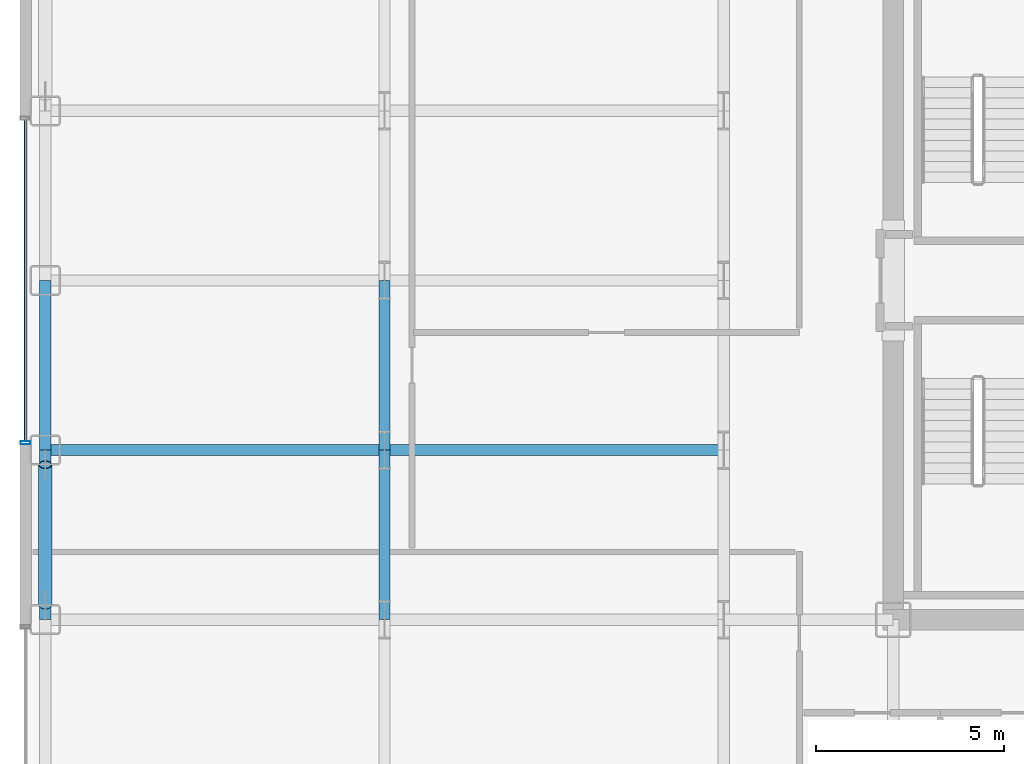
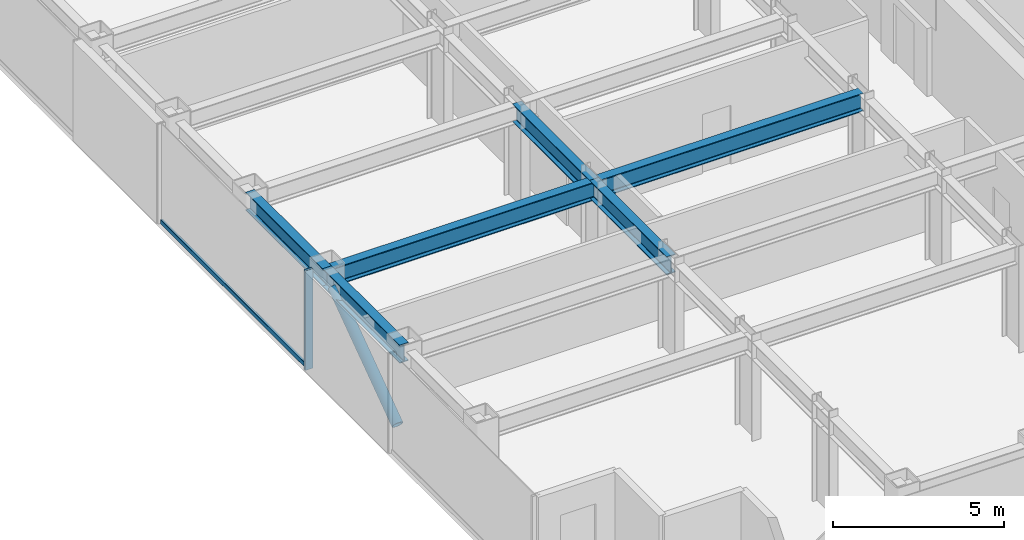
# One storey, part 5 of 29: 6 beams, 3 members, 1 element without a shape of its own.
"""IFC4 building model written with IfcOpenShell, lengths in metres."""

import ifcopenshell
import ifcopenshell.guid

model = None  # the IFC model being written
_history = None  # IfcOwnerHistory: only IFC2X3 demands one
_inside = {}  # id of a spatial element -> (the spatial element, [elements in it])
_under = {}  # id of a project, library or spatial element -> (it, [spatial elements below it])
_declared = {}  # id of a project -> (the project, [libraries it declares])
_typed = {}  # id of a type object -> (the type object, [elements of that type])
_made_of = {}  # id of a material, layer set ... -> (it, [elements and type objects made of it])


def new_model(schema):
    """Start an empty IFC model of exactly this schema.

    Asked for "IFC4X3", IfcOpenShell would pick the latest addendum, in which some entities
    have other attributes; the version numbers below select the first issue.
    IFC2X3 requires an IfcOwnerHistory on every rooted entity: one is made here for all.
    """
    global model, _history
    if schema == "IFC4X3":
        model = ifcopenshell.file(schema_version=(4, 3, 0, 0))
    else:
        model = ifcopenshell.file(schema=schema)
    _inside.clear()
    _under.clear()
    _declared.clear()
    _typed.clear()
    _made_of.clear()
    _history = None
    if model.schema == "IFC2X3":
        org = make("IfcOrganization", Name="unknown")
        user = make(
            "IfcPersonAndOrganization",
            ThePerson=make("IfcPerson", FamilyName="unknown"),
            TheOrganization=org,
        )
        app = make(
            "IfcApplication",
            ApplicationDeveloper=org,
            Version="unknown",
            ApplicationFullName="unknown",
            ApplicationIdentifier="unknown",
        )
        _history = make(
            "IfcOwnerHistory",
            OwningUser=user,
            OwningApplication=app,
            ChangeAction="ADDED",
            CreationDate=0,
        )
    return model


def make(cls, **values):
    """One entity of the class cls with the attributes given. An attribute that is None is left unset."""
    return model.create_entity(
        cls, **{name: value for name, value in values.items() if value is not None}
    )


def rooted(cls, **values):
    """An entity with a GlobalId (a new one), such as an element, a storey or a relation."""
    return make(cls, GlobalId=ifcopenshell.guid.new(), OwnerHistory=_history, **values)


def si_unit(unit_type, name, prefix=None):
    """IfcSIUnit, for example si_unit("LENGTHUNIT", "METRE", prefix="MILLI")."""
    return make("IfcSIUnit", UnitType=unit_type, Prefix=prefix, Name=name)


def assignment(units):
    """IfcUnitAssignment: the units of a project."""
    return None if units is None else make("IfcUnitAssignment", Units=units)


def point(xyz):
    """IfcCartesianPoint."""
    return None if xyz is None else make("IfcCartesianPoint", Coordinates=xyz)


def direction(xyz):
    """IfcDirection."""
    return None if xyz is None else make("IfcDirection", DirectionRatios=xyz)


def frame(location, z_axis=None, x_axis=None):
    """IfcAxis2Placement3D, a coordinate frame: its origin and axes. An axis left out is left unset."""
    return make(
        "IfcAxis2Placement3D",
        Location=point(location),
        Axis=direction(z_axis),
        RefDirection=direction(x_axis),
    )


def frame_2d(location, x_axis=None):
    """IfcAxis2Placement2D, a coordinate frame in the plane: its origin and x axis."""
    return make(
        "IfcAxis2Placement2D", Location=point(location), RefDirection=direction(x_axis)
    )


def origin():
    """The frame at (0, 0, 0) with its axes left unset."""
    return frame((0.0, 0.0, 0.0))


def origin_2d():
    """The frame at (0, 0) in the plane with its x axis left unset."""
    return frame_2d((0.0, 0.0))


def place(relative_to, where):
    """IfcLocalPlacement: puts the frame where relative to a parent placement (None: the world)."""
    return make(
        "IfcLocalPlacement", PlacementRelTo=relative_to, RelativePlacement=where
    )


def context(
    kind, dimensions, precision=None, world=None, true_north=None, identifier=None
):
    """IfcGeometricRepresentationContext, for example the 3D "Model" context."""
    return make(
        "IfcGeometricRepresentationContext",
        ContextIdentifier=identifier,
        ContextType=kind,
        CoordinateSpaceDimension=dimensions,
        Precision=precision,
        WorldCoordinateSystem=world,
        TrueNorth=true_north,
    )


def subcontext(parent, identifier, kind, view, scale=None):
    """IfcGeometricRepresentationSubContext, for example "Body" below "Model"."""
    return make(
        "IfcGeometricRepresentationSubContext",
        ContextIdentifier=identifier,
        ContextType=kind,
        ParentContext=parent,
        TargetScale=scale,
        TargetView=view,
    )


def project(units=None, contexts=None):
    """IfcProject with its units and contexts."""
    return rooted(
        "IfcProject",
        Name="project",
        RepresentationContexts=contexts,
        UnitsInContext=assignment(units),
    )


def spatial(cls, under=None, at=None, **own):
    """A site, building, storey or space (cls), placed at a placement, below another one or the project."""
    s = rooted(cls, ObjectPlacement=at, **own)
    if under is not None:
        _under.setdefault(under.id(), (under, []))[1].append(s)
    return s


def profile(cls, at=None, kind="AREA", **sizes):
    """A parametric profile (cls). Its sizes go by their IFC names, for example OverallWidth=200.0."""
    return make(cls, ProfileType=kind, Position=at, **sizes)


def hollow_rectangle(**sizes):
    """IfcRectangleHollowProfileDef."""
    return profile("IfcRectangleHollowProfileDef", **sizes)


def hollow_circle(**sizes):
    """IfcCircleHollowProfileDef."""
    return profile("IfcCircleHollowProfileDef", **sizes)


def i_section(**sizes):
    """IfcIShapeProfileDef."""
    return profile("IfcIShapeProfileDef", **sizes)


def extrude(swept, where, along, depth):
    """IfcExtrudedAreaSolid: the profile swept, set in the frame where, extruded along a direction by depth."""
    return make(
        "IfcExtrudedAreaSolid",
        SweptArea=swept,
        Position=where,
        ExtrudedDirection=direction(along),
        Depth=depth,
    )


def shape(context_of_items, identifier, shape_type, items):
    """IfcShapeRepresentation: the items that make up one representation, for example the "Body"."""
    return make(
        "IfcShapeRepresentation",
        ContextOfItems=context_of_items,
        RepresentationIdentifier=identifier,
        RepresentationType=shape_type,
        Items=items,
    )


def source(mapping_origin, context_of_items, identifier, shape_type, items):
    """IfcRepresentationMap: a shape defined once, which mapped items show again and again."""
    return make(
        "IfcRepresentationMap",
        MappingOrigin=mapping_origin,
        MappedRepresentation=shape(context_of_items, identifier, shape_type, items),
    )


def transform(
    local_origin,
    x_axis=None,
    y_axis=None,
    z_axis=None,
    scale=None,
    scale2=None,
    scale3=None,
    uniform=True,
):
    """IfcCartesianTransformationOperator3D, or its non-uniform kind. x_axis, y_axis, z_axis: its Axis1, 2, 3."""
    if uniform:
        return make(
            "IfcCartesianTransformationOperator3D",
            Axis1=direction(x_axis),
            Axis2=direction(y_axis),
            LocalOrigin=point(local_origin),
            Scale=scale,
            Axis3=direction(z_axis),
        )
    return make(
        "IfcCartesianTransformationOperator3DnonUniform",
        Axis1=direction(x_axis),
        Axis2=direction(y_axis),
        LocalOrigin=point(local_origin),
        Scale=scale,
        Axis3=direction(z_axis),
        Scale2=scale2,
        Scale3=scale3,
    )


def mapped(mapping_source, mapping_target):
    """IfcMappedItem: shows the shape of a source again, moved by a transform."""
    return make(
        "IfcMappedItem", MappingSource=mapping_source, MappingTarget=mapping_target
    )


def material(Name=None, Category=None):
    """IfcMaterial."""
    return make("IfcMaterial", Name=Name, Category=Category)


def layer(
    of_material, thickness, ventilated=None, Name=None, Category=None, Priority=None
):
    """IfcMaterialLayer: one layer of a wall or slab, of a material (None: an air gap)."""
    return make(
        "IfcMaterialLayer",
        Material=of_material,
        LayerThickness=thickness,
        IsVentilated=ventilated,
        Name=Name,
        Category=Category,
        Priority=Priority,
    )


def layer_set(layers, Name=None):
    """IfcMaterialLayerSet."""
    return make("IfcMaterialLayerSet", MaterialLayers=layers, LayerSetName=Name)


def material_profile(
    of_material, cross_section, Name=None, Category=None, Priority=None
):
    """IfcMaterialProfile: a cross section and its material."""
    return make(
        "IfcMaterialProfile",
        Name=Name,
        Material=of_material,
        Profile=cross_section,
        Priority=Priority,
        Category=Category,
    )


def profile_set(profiles, Name=None, composite=None):
    """IfcMaterialProfileSet."""
    return make(
        "IfcMaterialProfileSet",
        Name=Name,
        MaterialProfiles=profiles,
        CompositeProfile=composite,
    )


def made_of(thing, what):
    """Note that an element or type object is made of a material, layer set ...; save() writes the relation."""
    if what is not None:
        _made_of.setdefault(what.id(), (what, []))[1].append(thing)
    return thing


def type_object(cls, material=None, **own):
    """A type object (cls), such as IfcWallType, which elements share."""
    return made_of(rooted(cls, **own), material)


def element(
    cls,
    number,
    at=None,
    inside=None,
    cuts=None,
    type_object=None,
    material=None,
    context=None,
    identifier="Body",
    shape_type=None,
    held_by="IfcProductDefinitionShape",
    body=None,
    shapes=None,
    **own,
):
    """One element of the class cls, such as IfcWall. Its Tag is "e" and its number.

    at: its placement. inside: the storey or other place that contains it. cuts: it is an
    opening in that element (IfcRelVoidsElement). A single representation is given by context,
    identifier, shape_type and body (its items); several are given by shapes. held_by: the class
    of the entity that holds the representations. save() writes the other relations.
    """
    e = rooted(cls, Tag="e%d" % number, ObjectPlacement=at, **own)
    if body is not None:
        shapes = [shape(context, identifier, shape_type, body)]
    if shapes is not None:
        e.Representation = make(held_by, Representations=shapes)
    if inside is not None:
        _inside.setdefault(inside.id(), (inside, []))[1].append(e)
    if cuts is not None:
        rooted(
            "IfcRelVoidsElement", RelatingBuildingElement=cuts, RelatedOpeningElement=e
        )
    if type_object is not None:
        _typed.setdefault(type_object.id(), (type_object, []))[1].append(e)
    return made_of(e, material)


def aggregate(whole, parts):
    """IfcRelAggregates: a whole, such as a stair, and the parts it consists of."""
    return rooted("IfcRelAggregates", RelatingObject=whole, RelatedObjects=parts)


def save(model, path):
    """Write the relations noted so far, then the file.

    IfcRelAggregates (storeys below a building ...), IfcRelContainedInSpatialStructure (elements
    in a storey), IfcRelDefinesByType, IfcRelAssociatesMaterial and IfcRelDeclares: one each for
    every whole, place, type object, material and project.
    """
    for whole, parts in _under.values():
        aggregate(whole, parts)
    for where, things in _inside.values():
        rooted(
            "IfcRelContainedInSpatialStructure",
            RelatedElements=things,
            RelatingStructure=where,
        )
    for kind, things in _typed.values():
        rooted("IfcRelDefinesByType", RelatedObjects=things, RelatingType=kind)
    for what, things in _made_of.values():
        rooted("IfcRelAssociatesMaterial", RelatedObjects=things, RelatingMaterial=what)
    for by, libraries in _declared.values():
        rooted("IfcRelDeclares", RelatingContext=by, RelatedDefinitions=libraries)
    model.write(path)


model = new_model("IFC4")

# Units and contexts
model_context = context("Model", 3, precision=1e-05, world=origin(), true_north=direction((0.0, 1.0)))
body_context = subcontext(model_context, "Body", "Model", "MODEL_VIEW")
ifc_project = project(units=[si_unit("LENGTHUNIT", "METRE"), si_unit("AREAUNIT", "SQUARE_METRE"), si_unit("VOLUMEUNIT", "CUBIC_METRE"), si_unit("PLANEANGLEUNIT", "RADIAN"), si_unit("MASSUNIT", "GRAM", prefix="KILO")], contexts=[model_context])

# Site, building, storey
site_placement = place(None, origin())
site = spatial("IfcSite", under=ifc_project, at=site_placement, CompositionType="ELEMENT")
building_placement = place(site_placement, origin())
building = spatial("IfcBuilding", under=site, at=building_placement, Name="Nefas-Gora Pilgrimage Tower", CompositionType="ELEMENT")
storey_placement = place(building_placement, frame((0.0, 0.0, 136.39990234375)))
storey = spatial("IfcBuildingStorey", under=building, at=storey_placement, Name="L33", CompositionType="ELEMENT", Elevation=136.39990234375)

# Beams
ifc_material_1 = material(Name="Steel S355", Category="steel")
ifc_material_profile_1 = material_profile(ifc_material_1, i_section(OverallWidth=0.300048828125, OverallDepth=0.64990234375, WebThickness=0.01611328125, FlangeThickness=0.031005859375, FilletRadius=0.027099609375, at=origin_2d()), Name="HEB 650")
ifc_profile_set_1 = profile_set([ifc_material_profile_1], Name="Steel S355")
beam_type_1 = type_object("IfcBeamType", Name="BM-SPN-HEB500", PredefinedType="SPANDREL", material=ifc_profile_set_1)
shared_shape_1 = source(origin(), body_context, "Body", "SweptSolid", [
    extrude(i_section(OverallWidth=0.300048828125, OverallDepth=0.64990234375, WebThickness=0.01611328125, FlangeThickness=0.031005859375, FilletRadius=0.027099609375, at=origin_2d()), origin(), (0.0, 0.0, 1.0), 4.5),
])
for number, where, z_axis, x_axis, name in (
    (1, (-33.75, -9.0, 3.22509765625), (0.0, 1.0, 0.0), (-1.0, 0.0, 0.0), "L33 SP-02 beam"),
    (2, (-33.75, -4.5, 3.22509765625), (0.0, 1.0, 0.0), (-1.0, 0.0, 0.0), "L33 SP-02 beam"),
):
    element("IfcBeam", number, at=place(storey_placement, frame(where, z_axis=z_axis, x_axis=x_axis)), inside=storey, type_object=beam_type_1, Name=name, PredefinedType="SPANDREL", context=body_context, shape_type="MappedRepresentation", body=[
        mapped(shared_shape_1, transform((0.0, 0.0, 0.0), x_axis=(1.0, 0.0, 0.0), y_axis=(0.0, 1.0, 0.0), z_axis=(0.0, 0.0, 1.0), scale=1.0)),
    ])
ifc_material_profile_2 = material_profile(ifc_material_1, i_section(OverallWidth=0.300048828125, OverallDepth=0.64990234375, WebThickness=0.01611328125, FlangeThickness=0.031005859375, FilletRadius=0.027099609375, at=origin_2d()), Name="HEB 650")
ifc_profile_set_2 = profile_set([ifc_material_profile_2], Name="Steel S355")
beam_type_2 = type_object("IfcBeamType", Name="BM-GIR-HEB650", PredefinedType="BEAM", material=ifc_profile_set_2)
shared_shape_2 = source(origin(), body_context, "Body", "SweptSolid", [
    extrude(i_section(OverallWidth=0.300048828125, OverallDepth=0.64990234375, WebThickness=0.01611328125, FlangeThickness=0.031005859375, FilletRadius=0.027099609375, at=origin_2d()), origin(), (0.0, 0.0, 1.0), 9.0),
])
for number, where, z_axis, x_axis, name in (
    (3, (-33.75, -4.5, 3.22509765625), (1.0, 0.0, 0.0), (0.0, 1.0, 0.0), "L33 G-03 beam"),
    (4, (-24.75, -4.5, 3.22509765625), (1.0, 0.0, 0.0), (0.0, 1.0, 0.0), "L33 G-03 beam"),
):
    element("IfcBeam", number, at=place(storey_placement, frame(where, z_axis=z_axis, x_axis=x_axis)), inside=storey, type_object=beam_type_2, Name=name, PredefinedType="BEAM", context=body_context, shape_type="MappedRepresentation", body=[
        mapped(shared_shape_2, transform((0.0, 0.0, 0.0), x_axis=(1.0, 0.0, 0.0), y_axis=(0.0, 1.0, 0.0), z_axis=(0.0, 0.0, 1.0), scale=1.0)),
    ])
shared_shape_3 = source(origin(), body_context, "Body", "SweptSolid", [
    extrude(i_section(OverallWidth=0.300048828125, OverallDepth=0.64990234375, WebThickness=0.01611328125, FlangeThickness=0.031005859375, FilletRadius=0.027099609375, at=origin_2d()), origin(), (0.0, 0.0, 1.0), 4.5),
])
for number, where, z_axis, x_axis, name in (
    (5, (-24.75, -9.0, 3.22509765625), (0.0, 1.0, 0.0), (-1.0, 0.0, 0.0), "L33 G-03 beam"),
    (6, (-24.75, -4.5, 3.22509765625), (0.0, 1.0, 0.0), (-1.0, 0.0, 0.0), "L33 G-03 beam"),
):
    element("IfcBeam", number, at=place(storey_placement, frame(where, z_axis=z_axis, x_axis=x_axis)), inside=storey, type_object=beam_type_2, Name=name, PredefinedType="BEAM", context=body_context, shape_type="MappedRepresentation", body=[
        mapped(shared_shape_3, transform((0.0, 0.0, 0.0), x_axis=(1.0, 0.0, 0.0), y_axis=(0.0, 1.0, 0.0), z_axis=(0.0, 0.0, 1.0), scale=1.0)),
    ])

# Member
ifc_material_2 = material(Name="Steel S460", Category="steel")
ifc_material_profile_3 = material_profile(ifc_material_2, hollow_circle(Radius=0.177734375, WallThickness=0.02001953125, at=origin_2d()), Name="CHS 355.6x20")
ifc_profile_set_3 = profile_set([ifc_material_profile_3], Name="Steel S460")
member_type_1 = type_object("IfcMemberType", Name="MEM-TUBE-356", PredefinedType="BRACE", material=ifc_profile_set_3)
shared_shape_4 = source(origin(), body_context, "Body", "SweptSolid", [
    extrude(hollow_circle(Radius=0.177734375, WallThickness=0.02001953125, at=origin_2d()), origin(), (0.0, 0.0, 1.0), 4.579345703125),
])
member_1_placement = place(storey_placement, frame((-33.75, -8.612060546875, 0.427734375), z_axis=(0.0, 0.813246879171, 0.581918820385), x_axis=(-1.0, 0.0, 0.0)))
element("IfcMember", 7, at=member_1_placement, inside=storey, type_object=member_type_1, Name="L33 Perimeter Tube Diagonal Brace W1", PredefinedType="BRACE", context=body_context, shape_type="MappedRepresentation", body=[
    mapped(shared_shape_4, transform((0.0, 0.0, 0.0), x_axis=(1.0, 0.0, 0.0), y_axis=(0.0, 1.0, 0.0), z_axis=(0.0, 0.0, 1.0), scale=1.0)),
])

# Curtain wall, members
ifc_material_3 = material(Name="Dark ceramic-fritted solar-control aluminium-glass curtain wall", Category="aluminium")
ifc_layer = layer(ifc_material_3, 0.219970703125)
ifc_layer_set = layer_set([ifc_layer], Name="Dark ceramic-fritted solar-control aluminium-glass curtain wall")
curtain_wall_type = type_object("IfcCurtainWallType", Name="CW-SYS-2", PredefinedType="NOTDEFINED", material=ifc_layer_set)
curtain_wall_placement = place(storey_placement, origin())
curtain_wall = element("IfcCurtainWall", 8, at=curtain_wall_placement, inside=storey, type_object=curtain_wall_type, Name="L33 Unitised Curtain Wall CW2", PredefinedType="NOTDEFINED")
ifc_material_4 = material(Name="Anodised architectural aluminium", Category="aluminium")
ifc_material_profile_4 = material_profile(ifc_material_4, hollow_rectangle(XDim=0.090087890625, YDim=0.260009765625, WallThickness=0.006103515625, InnerFilletRadius=0.006103515625, OuterFilletRadius=0.011962890625, at=origin_2d()), Name="ALU MULLION 90x260")
ifc_profile_set_4 = profile_set([ifc_material_profile_4], Name="Anodised architectural aluminium")
member_type_2 = type_object("IfcMemberType", Name="CWM-MUL-2", PredefinedType="MULLION", material=ifc_profile_set_4)
shared_shape_5 = source(origin(), body_context, "Body", "SweptSolid", [
    extrude(hollow_rectangle(XDim=0.090087890625, YDim=0.260009765625, WallThickness=0.006103515625, InnerFilletRadius=0.006103515625, OuterFilletRadius=0.011962890625, at=origin_2d()), origin(), (0.0, 0.0, 1.0), 3.550048828125),
])
member_2_placement = place(storey_placement, frame((-34.27001953125, -4.304931640625, 0.0), z_axis=(0.0, 0.0, 1.0), x_axis=(0.0, -1.0, 0.0)))
member_2 = element("IfcMember", 9, at=member_2_placement, type_object=member_type_2, Name="CW2 Mullion 2", PredefinedType="MULLION", context=body_context, shape_type="MappedRepresentation", body=[
    mapped(shared_shape_5, transform((0.0, 0.0, 0.0), x_axis=(1.0, 0.0, 0.0), y_axis=(0.0, 1.0, 0.0), z_axis=(0.0, 0.0, 1.0), scale=1.0)),
])
ifc_material_profile_5 = material_profile(ifc_material_4, hollow_rectangle(XDim=0.080078125, YDim=0.159912109375, WallThickness=0.00439453125, InnerFilletRadius=0.00439453125, OuterFilletRadius=0.009033203125, at=origin_2d()), Name="ALU TRANSOM 80x160")
ifc_profile_set_5 = profile_set([ifc_material_profile_5], Name="Anodised architectural aluminium")
member_type_3 = type_object("IfcMemberType", Name="CWM-TRN-2", PredefinedType="USERDEFINED", material=ifc_profile_set_5)
shared_shape_6 = source(origin(), body_context, "Body", "SweptSolid", [
    extrude(hollow_rectangle(XDim=0.080078125, YDim=0.159912109375, WallThickness=0.00439453125, InnerFilletRadius=0.00439453125, OuterFilletRadius=0.009033203125, at=origin_2d()), origin(), (0.0, 0.0, 1.0), 8.52001953125),
])
member_3_placement = place(storey_placement, frame((-34.27001953125, 4.260009765625, 0.050048828125), z_axis=(0.0, -1.0, 0.0), x_axis=(1.0, 0.0, 0.0)))
member_3 = element("IfcMember", 10, at=member_3_placement, type_object=member_type_3, Name="CW2 Spandrel Transom", ObjectType="TRANSOM", PredefinedType="USERDEFINED", context=body_context, shape_type="MappedRepresentation", body=[
    mapped(shared_shape_6, transform((0.0, 0.0, 0.0), x_axis=(1.0, 0.0, 0.0), y_axis=(0.0, 1.0, 0.0), z_axis=(0.0, 0.0, 1.0), scale=1.0)),
])
aggregate(curtain_wall, [member_2, member_3])

save(model, "model.ifc")
